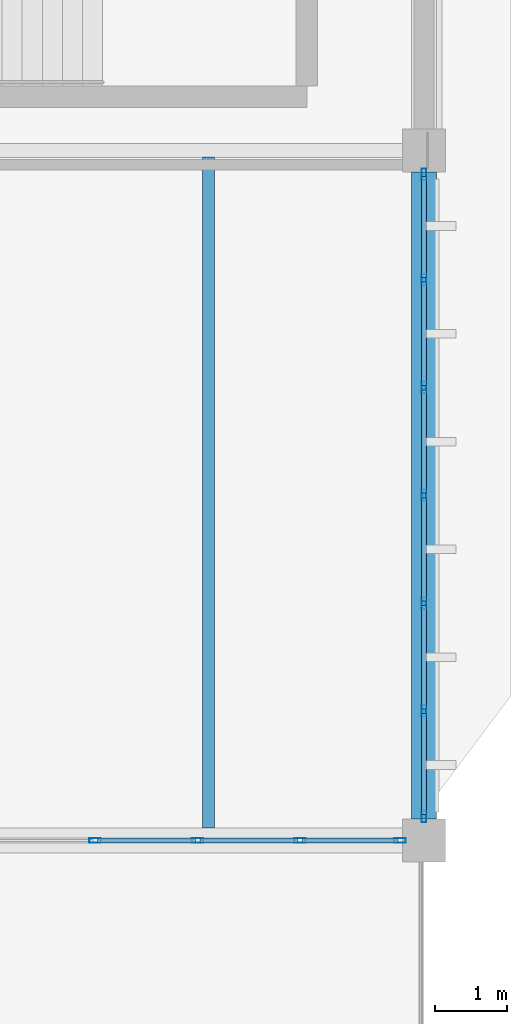
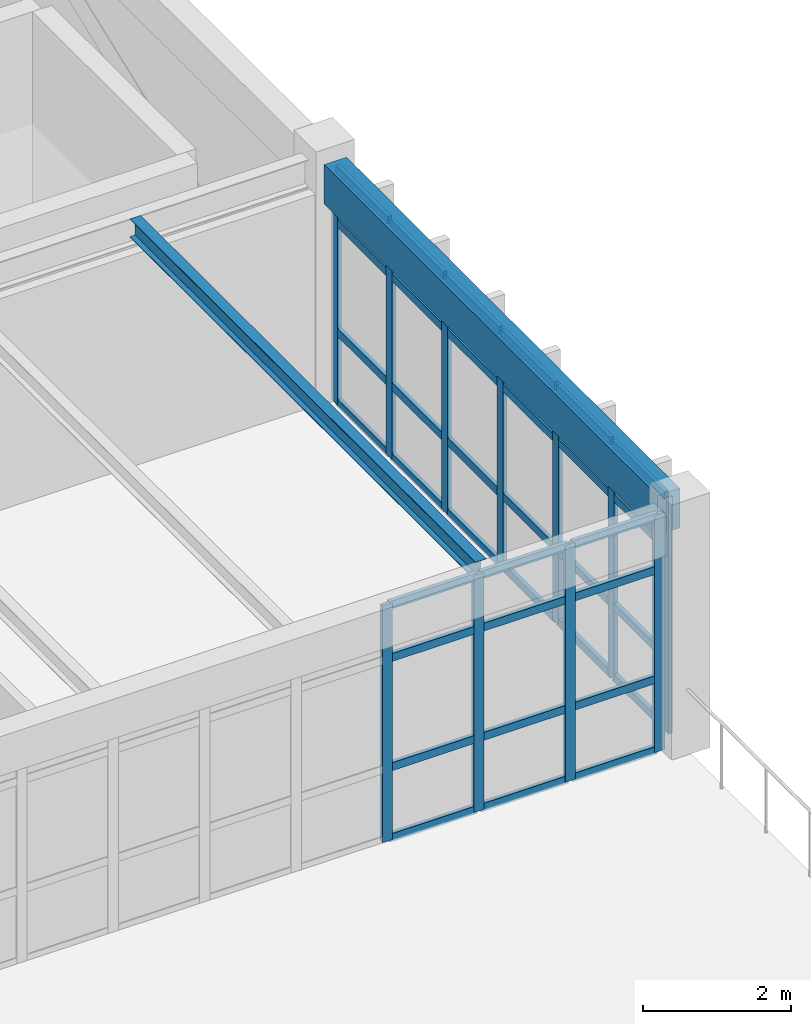
# One storey, part 31 of 83: 47 members, 2 beams, 2 elements without a shape of their own.
"""IFC4 building model written with IfcOpenShell, lengths in metres."""

from ifc_helpers import new_model, si_unit, direction, frame, origin, origin_2d, place, context, subcontext, project, spatial, rectangle, hollow_rectangle, i_section, extrude, material, layer, layer_set, material_profile, profile_set, type_object, element, aggregate, save


model = new_model("IFC4")

# Units and contexts
model_context = context("Model", 3, precision=1e-05, world=origin(), true_north=direction((0.0, 1.0)))
body_context = subcontext(model_context, "Body", "Model", "MODEL_VIEW")
ifc_project = project(units=[si_unit("LENGTHUNIT", "METRE"), si_unit("AREAUNIT", "SQUARE_METRE"), si_unit("VOLUMEUNIT", "CUBIC_METRE"), si_unit("PLANEANGLEUNIT", "RADIAN"), si_unit("MASSUNIT", "GRAM", prefix="KILO")], contexts=[model_context])

# Site, building, storey
site_placement = place(None, origin())
site = spatial("IfcSite", under=ifc_project, at=site_placement, CompositionType="ELEMENT")
building_placement = place(site_placement, origin())
building = spatial("IfcBuilding", under=site, at=building_placement, Name="Pandanus Reach Market Hall", CompositionType="ELEMENT")
storey_placement = place(building_placement, frame((0.0, 0.0, 10.199951171875)))
storey = spatial("IfcBuildingStorey", under=building, at=storey_placement, Name="L02", CompositionType="ELEMENT", Elevation=10.199951171875)

# Beam
ifc_material_1 = material(Name="Concrete N40 (40 MPa)", Category="concrete")
ifc_material_profile_1 = material_profile(ifc_material_1, rectangle(XDim=0.35009765625, YDim=0.64990234375, at=origin_2d()), Name="RC350x650", Category="LoadBearing")
ifc_profile_set_1 = profile_set([ifc_material_profile_1], Name="Concrete N40 (40 MPa)")
beam_type_1 = type_object("IfcBeamType", Name="BM-RC350-E", PredefinedType="SPANDREL", material=ifc_profile_set_1)
beam_1_placement = place(storey_placement, frame((180.0, 19.498046875, 3.625), z_axis=(0.0, 1.0, 0.0), x_axis=(-1.0, 0.0, 0.0)))
element("IfcBeam", 1, at=beam_1_placement, inside=storey, type_object=beam_type_1, Name="Framing beam BM-RC350-E L02.482", PredefinedType="SPANDREL", context=body_context, shape_type="SweptSolid", body=[
    extrude(rectangle(XDim=0.35009765625, YDim=0.64990234375, at=origin_2d()), origin(), (0.0, 0.0, 1.0), 9.00390625),
])

# Curtain wall, members
ifc_material_2 = material(Name="Bronze anodised aluminium and low-E glass", Category="aluminium")
ifc_layer_1 = layer(ifc_material_2, 0.159912109375, Name="CW-30")
ifc_layer_set_1 = layer_set([ifc_layer_1], Name="Bronze anodised aluminium and low-E glass")
curtain_wall_type_1 = type_object("IfcCurtainWallType", Name="CW-30", PredefinedType="NOTDEFINED", material=ifc_layer_set_1)
curtain_wall_1_placement = place(storey_placement, origin())
curtain_wall_1 = element("IfcCurtainWall", 2, at=curtain_wall_1_placement, inside=storey, type_object=curtain_wall_type_1, Name="Glazed curtain wall CW-30 CW-0101", PredefinedType="NOTDEFINED")
ifc_material_3 = material(Name="Bronze anodised aluminium", Category="aluminium")
ifc_material_profile_2 = material_profile(ifc_material_3, hollow_rectangle(XDim=0.06494140625, YDim=0.159912109375, WallThickness=0.00390625, at=origin_2d()), Name="ALU65x160", Category="LoadBearing")
ifc_profile_set_2 = profile_set([ifc_material_profile_2], Name="Bronze anodised aluminium")
member_type_1 = type_object("IfcMemberType", Name="CW-M1", PredefinedType="MULLION", material=ifc_profile_set_2)
member_1_placement = place(storey_placement, frame((175.425048828125, 19.199951171875, 0.0), z_axis=(0.0, 0.0, 1.0), x_axis=(0.0, 1.0, 0.0)))
member_1 = element("IfcMember", 3, at=member_1_placement, type_object=member_type_1, Name="CW-30 mullion 6", PredefinedType="MULLION", context=body_context, shape_type="SweptSolid", body=[
    extrude(hollow_rectangle(XDim=0.06494140625, YDim=0.159912109375, WallThickness=0.00390625, at=origin_2d()), origin(), (0.0, 0.0, 1.0), 3.900146484375),
])
member_2_placement = place(storey_placement, frame((176.85009765625, 19.199951171875, 0.0), z_axis=(0.0, 0.0, 1.0), x_axis=(0.0, 1.0, 0.0)))
member_2 = element("IfcMember", 4, at=member_2_placement, type_object=member_type_1, Name="CW-30 mullion 7", PredefinedType="MULLION", context=body_context, shape_type="SweptSolid", body=[
    extrude(hollow_rectangle(XDim=0.06494140625, YDim=0.159912109375, WallThickness=0.00390625, at=origin_2d()), origin(), (0.0, 0.0, 1.0), 3.900146484375),
])
member_3_placement = place(storey_placement, frame((178.27490234375, 19.199951171875, 0.0), z_axis=(0.0, 0.0, 1.0), x_axis=(0.0, 1.0, 0.0)))
member_3 = element("IfcMember", 5, at=member_3_placement, type_object=member_type_1, Name="CW-30 mullion 8", PredefinedType="MULLION", context=body_context, shape_type="SweptSolid", body=[
    extrude(hollow_rectangle(XDim=0.06494140625, YDim=0.159912109375, WallThickness=0.00390625, at=origin_2d()), origin(), (0.0, 0.0, 1.0), 3.900146484375),
])
member_4_placement = place(storey_placement, frame((179.66748046875, 19.199951171875, 0.0), z_axis=(0.0, 0.0, 1.0), x_axis=(0.0, 1.0, 0.0)))
member_4 = element("IfcMember", 6, at=member_4_placement, type_object=member_type_1, Name="CW-30 mullion 9", PredefinedType="MULLION", context=body_context, shape_type="SweptSolid", body=[
    extrude(hollow_rectangle(XDim=0.06494140625, YDim=0.159912109375, WallThickness=0.00390625, at=origin_2d()), origin(), (0.0, 0.0, 1.0), 3.900146484375),
])

ifc_layer_2 = layer(ifc_material_2, 0.159912109375, Name="CW-32")
ifc_layer_set_2 = layer_set([ifc_layer_2], Name="Bronze anodised aluminium and low-E glass")
curtain_wall_type_2 = type_object("IfcCurtainWallType", Name="CW-32", PredefinedType="NOTDEFINED", material=ifc_layer_set_2)
curtain_wall_2_placement = place(storey_placement, origin())
curtain_wall_2 = element("IfcCurtainWall", 7, at=curtain_wall_2_placement, inside=storey, type_object=curtain_wall_type_2, Name="Glazed curtain wall CW-32 CW-0105", PredefinedType="NOTDEFINED")
member_5_placement = place(storey_placement, frame((180.0, 19.532470703125, 0.0), z_axis=(0.0, 0.0, 1.0), x_axis=(-1.0, 0.0, 0.0)))
member_5 = element("IfcMember", 8, at=member_5_placement, type_object=member_type_1, Name="CW-32 mullion 1", PredefinedType="MULLION", context=body_context, shape_type="SweptSolid", body=[
    extrude(hollow_rectangle(XDim=0.06494140625, YDim=0.159912109375, WallThickness=0.00390625, at=origin_2d()), origin(), (0.0, 0.0, 1.0), 3.900146484375),
])
member_6_placement = place(storey_placement, frame((180.0, 21.0, 0.0), z_axis=(0.0, 0.0, 1.0), x_axis=(-1.0, 0.0, 0.0)))
member_6 = element("IfcMember", 9, at=member_6_placement, type_object=member_type_1, Name="CW-32 mullion 2", PredefinedType="MULLION", context=body_context, shape_type="SweptSolid", body=[
    extrude(hollow_rectangle(XDim=0.06494140625, YDim=0.159912109375, WallThickness=0.00390625, at=origin_2d()), origin(), (0.0, 0.0, 1.0), 3.900146484375),
])
member_7_placement = place(storey_placement, frame((180.0, 22.5, 0.0), z_axis=(0.0, 0.0, 1.0), x_axis=(-1.0, 0.0, 0.0)))
member_7 = element("IfcMember", 10, at=member_7_placement, type_object=member_type_1, Name="CW-32 mullion 3", PredefinedType="MULLION", context=body_context, shape_type="SweptSolid", body=[
    extrude(hollow_rectangle(XDim=0.06494140625, YDim=0.159912109375, WallThickness=0.00390625, at=origin_2d()), origin(), (0.0, 0.0, 1.0), 3.900146484375),
])
member_8_placement = place(storey_placement, frame((180.0, 24.0, 0.0), z_axis=(0.0, 0.0, 1.0), x_axis=(-1.0, 0.0, 0.0)))
member_8 = element("IfcMember", 11, at=member_8_placement, type_object=member_type_1, Name="CW-32 mullion 4", PredefinedType="MULLION", context=body_context, shape_type="SweptSolid", body=[
    extrude(hollow_rectangle(XDim=0.06494140625, YDim=0.159912109375, WallThickness=0.00390625, at=origin_2d()), origin(), (0.0, 0.0, 1.0), 3.900146484375),
])
member_9_placement = place(storey_placement, frame((180.0, 25.5, 0.0), z_axis=(0.0, 0.0, 1.0), x_axis=(-1.0, 0.0, 0.0)))
member_9 = element("IfcMember", 12, at=member_9_placement, type_object=member_type_1, Name="CW-32 mullion 5", PredefinedType="MULLION", context=body_context, shape_type="SweptSolid", body=[
    extrude(hollow_rectangle(XDim=0.06494140625, YDim=0.159912109375, WallThickness=0.00390625, at=origin_2d()), origin(), (0.0, 0.0, 1.0), 3.900146484375),
])
member_10_placement = place(storey_placement, frame((180.0, 27.0, 0.0), z_axis=(0.0, 0.0, 1.0), x_axis=(-1.0, 0.0, 0.0)))
member_10 = element("IfcMember", 13, at=member_10_placement, type_object=member_type_1, Name="CW-32 mullion 6", PredefinedType="MULLION", context=body_context, shape_type="SweptSolid", body=[
    extrude(hollow_rectangle(XDim=0.06494140625, YDim=0.159912109375, WallThickness=0.00390625, at=origin_2d()), origin(), (0.0, 0.0, 1.0), 3.900146484375),
])
member_11_placement = place(storey_placement, frame((180.0, 28.467529296875, 0.0), z_axis=(0.0, 0.0, 1.0), x_axis=(-1.0, 0.0, 0.0)))
member_11 = element("IfcMember", 14, at=member_11_placement, type_object=member_type_1, Name="CW-32 mullion 7", PredefinedType="MULLION", context=body_context, shape_type="SweptSolid", body=[
    extrude(hollow_rectangle(XDim=0.06494140625, YDim=0.159912109375, WallThickness=0.00390625, at=origin_2d()), origin(), (0.0, 0.0, 1.0), 3.900146484375),
])

# Member
ifc_material_profile_3 = material_profile(ifc_material_3, hollow_rectangle(XDim=0.06494140625, YDim=0.1298828125, WallThickness=0.00390625, at=origin_2d()), Name="ALU65x130", Category="LoadBearing")
ifc_profile_set_3 = profile_set([ifc_material_profile_3], Name="Bronze anodised aluminium")
member_type_2 = type_object("IfcMemberType", Name="CW-T1", PredefinedType="USERDEFINED", material=ifc_profile_set_3)
member_12_placement = place(storey_placement, frame((175.45751953125, 19.199951171875, 0.032470703125), z_axis=(1.0, 0.0, 0.0), x_axis=(0.0, 1.0, 0.0)))
member_12 = element("IfcMember", 15, at=member_12_placement, type_object=member_type_2, Name="CW-30 transom 6.1", ObjectType="TRANSOM", PredefinedType="USERDEFINED", context=body_context, shape_type="SweptSolid", body=[
    extrude(hollow_rectangle(XDim=0.06494140625, YDim=0.1298828125, WallThickness=0.00390625, at=origin_2d()), origin(), (0.0, 0.0, 1.0), 1.35986328125),
])

member_13_placement = place(storey_placement, frame((175.45751953125, 19.199951171875, 1.199951171875), z_axis=(1.0, 0.0, 0.0), x_axis=(0.0, 1.0, 0.0)))
member_13 = element("IfcMember", 16, at=member_13_placement, type_object=member_type_2, Name="CW-30 transom 6.2", ObjectType="TRANSOM", PredefinedType="USERDEFINED", context=body_context, shape_type="SweptSolid", body=[
    extrude(hollow_rectangle(XDim=0.06494140625, YDim=0.1298828125, WallThickness=0.00390625, at=origin_2d()), origin(), (0.0, 0.0, 1.0), 1.35986328125),
])

member_14_placement = place(storey_placement, frame((175.45751953125, 19.199951171875, 3.0), z_axis=(1.0, 0.0, 0.0), x_axis=(0.0, 1.0, 0.0)))
member_14 = element("IfcMember", 17, at=member_14_placement, type_object=member_type_2, Name="CW-30 transom 6.3", ObjectType="TRANSOM", PredefinedType="USERDEFINED", context=body_context, shape_type="SweptSolid", body=[
    extrude(hollow_rectangle(XDim=0.06494140625, YDim=0.1298828125, WallThickness=0.00390625, at=origin_2d()), origin(), (0.0, 0.0, 1.0), 1.35986328125),
])

member_15_placement = place(storey_placement, frame((175.45751953125, 19.199951171875, 3.867431640625), z_axis=(1.0, 0.0, 0.0), x_axis=(0.0, 1.0, 0.0)))
member_15 = element("IfcMember", 18, at=member_15_placement, type_object=member_type_2, Name="CW-30 transom 6.4", ObjectType="TRANSOM", PredefinedType="USERDEFINED", context=body_context, shape_type="SweptSolid", body=[
    extrude(hollow_rectangle(XDim=0.06494140625, YDim=0.1298828125, WallThickness=0.00390625, at=origin_2d()), origin(), (0.0, 0.0, 1.0), 1.35986328125),
])

member_16_placement = place(storey_placement, frame((176.882568359375, 19.199951171875, 0.032470703125), z_axis=(1.0, 0.0, 0.0), x_axis=(0.0, 1.0, 0.0)))
member_16 = element("IfcMember", 19, at=member_16_placement, type_object=member_type_2, Name="CW-30 transom 7.1", ObjectType="TRANSOM", PredefinedType="USERDEFINED", context=body_context, shape_type="SweptSolid", body=[
    extrude(hollow_rectangle(XDim=0.06494140625, YDim=0.1298828125, WallThickness=0.00390625, at=origin_2d()), origin(), (0.0, 0.0, 1.0), 1.35986328125),
])

member_17_placement = place(storey_placement, frame((176.882568359375, 19.199951171875, 1.199951171875), z_axis=(1.0, 0.0, 0.0), x_axis=(0.0, 1.0, 0.0)))
member_17 = element("IfcMember", 20, at=member_17_placement, type_object=member_type_2, Name="CW-30 transom 7.2", ObjectType="TRANSOM", PredefinedType="USERDEFINED", context=body_context, shape_type="SweptSolid", body=[
    extrude(hollow_rectangle(XDim=0.06494140625, YDim=0.1298828125, WallThickness=0.00390625, at=origin_2d()), origin(), (0.0, 0.0, 1.0), 1.35986328125),
])

member_18_placement = place(storey_placement, frame((176.882568359375, 19.199951171875, 3.0), z_axis=(1.0, 0.0, 0.0), x_axis=(0.0, 1.0, 0.0)))
member_18 = element("IfcMember", 21, at=member_18_placement, type_object=member_type_2, Name="CW-30 transom 7.3", ObjectType="TRANSOM", PredefinedType="USERDEFINED", context=body_context, shape_type="SweptSolid", body=[
    extrude(hollow_rectangle(XDim=0.06494140625, YDim=0.1298828125, WallThickness=0.00390625, at=origin_2d()), origin(), (0.0, 0.0, 1.0), 1.35986328125),
])

member_19_placement = place(storey_placement, frame((176.882568359375, 19.199951171875, 3.867431640625), z_axis=(1.0, 0.0, 0.0), x_axis=(0.0, 1.0, 0.0)))
member_19 = element("IfcMember", 22, at=member_19_placement, type_object=member_type_2, Name="CW-30 transom 7.4", ObjectType="TRANSOM", PredefinedType="USERDEFINED", context=body_context, shape_type="SweptSolid", body=[
    extrude(hollow_rectangle(XDim=0.06494140625, YDim=0.1298828125, WallThickness=0.00390625, at=origin_2d()), origin(), (0.0, 0.0, 1.0), 1.35986328125),
])

member_20_placement = place(storey_placement, frame((178.3076171875, 19.199951171875, 0.032470703125), z_axis=(1.0, 0.0, 0.0), x_axis=(0.0, 1.0, 0.0)))
member_20 = element("IfcMember", 23, at=member_20_placement, type_object=member_type_2, Name="CW-30 transom 8.1", ObjectType="TRANSOM", PredefinedType="USERDEFINED", context=body_context, shape_type="SweptSolid", body=[
    extrude(hollow_rectangle(XDim=0.06494140625, YDim=0.1298828125, WallThickness=0.00390625, at=origin_2d()), origin(), (0.0, 0.0, 1.0), 1.327392578125),
])

member_21_placement = place(storey_placement, frame((178.3076171875, 19.199951171875, 1.199951171875), z_axis=(1.0, 0.0, 0.0), x_axis=(0.0, 1.0, 0.0)))
member_21 = element("IfcMember", 24, at=member_21_placement, type_object=member_type_2, Name="CW-30 transom 8.2", ObjectType="TRANSOM", PredefinedType="USERDEFINED", context=body_context, shape_type="SweptSolid", body=[
    extrude(hollow_rectangle(XDim=0.06494140625, YDim=0.1298828125, WallThickness=0.00390625, at=origin_2d()), origin(), (0.0, 0.0, 1.0), 1.327392578125),
])

member_22_placement = place(storey_placement, frame((178.3076171875, 19.199951171875, 3.0), z_axis=(1.0, 0.0, 0.0), x_axis=(0.0, 1.0, 0.0)))
member_22 = element("IfcMember", 25, at=member_22_placement, type_object=member_type_2, Name="CW-30 transom 8.3", ObjectType="TRANSOM", PredefinedType="USERDEFINED", context=body_context, shape_type="SweptSolid", body=[
    extrude(hollow_rectangle(XDim=0.06494140625, YDim=0.1298828125, WallThickness=0.00390625, at=origin_2d()), origin(), (0.0, 0.0, 1.0), 1.327392578125),
])

member_23_placement = place(storey_placement, frame((178.3076171875, 19.199951171875, 3.867431640625), z_axis=(1.0, 0.0, 0.0), x_axis=(0.0, 1.0, 0.0)))
member_23 = element("IfcMember", 26, at=member_23_placement, type_object=member_type_2, Name="CW-30 transom 8.4", ObjectType="TRANSOM", PredefinedType="USERDEFINED", context=body_context, shape_type="SweptSolid", body=[
    extrude(hollow_rectangle(XDim=0.06494140625, YDim=0.1298828125, WallThickness=0.00390625, at=origin_2d()), origin(), (0.0, 0.0, 1.0), 1.327392578125),
])

aggregate(curtain_wall_1, [member_1, member_2, member_3, member_4, member_12, member_13, member_14, member_15, member_16, member_17, member_18, member_19, member_20, member_21, member_22, member_23])

member_24_placement = place(storey_placement, frame((180.0, 19.56494140625, 0.032470703125), z_axis=(0.0, 1.0, 0.0), x_axis=(-1.0, 0.0, 0.0)))
member_24 = element("IfcMember", 27, at=member_24_placement, type_object=member_type_2, Name="CW-32 transom 1.1", ObjectType="TRANSOM", PredefinedType="USERDEFINED", context=body_context, shape_type="SweptSolid", body=[
    extrude(hollow_rectangle(XDim=0.06494140625, YDim=0.1298828125, WallThickness=0.00390625, at=origin_2d()), origin(), (0.0, 0.0, 1.0), 1.402587890625),
])

member_25_placement = place(storey_placement, frame((180.0, 19.56494140625, 1.199951171875), z_axis=(0.0, 1.0, 0.0), x_axis=(-1.0, 0.0, 0.0)))
member_25 = element("IfcMember", 28, at=member_25_placement, type_object=member_type_2, Name="CW-32 transom 1.2", ObjectType="TRANSOM", PredefinedType="USERDEFINED", context=body_context, shape_type="SweptSolid", body=[
    extrude(hollow_rectangle(XDim=0.06494140625, YDim=0.1298828125, WallThickness=0.00390625, at=origin_2d()), origin(), (0.0, 0.0, 1.0), 1.402587890625),
])

member_26_placement = place(storey_placement, frame((180.0, 19.56494140625, 3.0), z_axis=(0.0, 1.0, 0.0), x_axis=(-1.0, 0.0, 0.0)))
member_26 = element("IfcMember", 29, at=member_26_placement, type_object=member_type_2, Name="CW-32 transom 1.3", ObjectType="TRANSOM", PredefinedType="USERDEFINED", context=body_context, shape_type="SweptSolid", body=[
    extrude(hollow_rectangle(XDim=0.06494140625, YDim=0.1298828125, WallThickness=0.00390625, at=origin_2d()), origin(), (0.0, 0.0, 1.0), 1.402587890625),
])

member_27_placement = place(storey_placement, frame((180.0, 19.56494140625, 3.867431640625), z_axis=(0.0, 1.0, 0.0), x_axis=(-1.0, 0.0, 0.0)))
member_27 = element("IfcMember", 30, at=member_27_placement, type_object=member_type_2, Name="CW-32 transom 1.4", ObjectType="TRANSOM", PredefinedType="USERDEFINED", context=body_context, shape_type="SweptSolid", body=[
    extrude(hollow_rectangle(XDim=0.06494140625, YDim=0.1298828125, WallThickness=0.00390625, at=origin_2d()), origin(), (0.0, 0.0, 1.0), 1.402587890625),
])

member_28_placement = place(storey_placement, frame((180.0, 21.032470703125, 0.032470703125), z_axis=(0.0, 1.0, 0.0), x_axis=(-1.0, 0.0, 0.0)))
member_28 = element("IfcMember", 31, at=member_28_placement, type_object=member_type_2, Name="CW-32 transom 2.1", ObjectType="TRANSOM", PredefinedType="USERDEFINED", context=body_context, shape_type="SweptSolid", body=[
    extrude(hollow_rectangle(XDim=0.06494140625, YDim=0.1298828125, WallThickness=0.00390625, at=origin_2d()), origin(), (0.0, 0.0, 1.0), 1.43505859375),
])

member_29_placement = place(storey_placement, frame((180.0, 21.032470703125, 1.199951171875), z_axis=(0.0, 1.0, 0.0), x_axis=(-1.0, 0.0, 0.0)))
member_29 = element("IfcMember", 32, at=member_29_placement, type_object=member_type_2, Name="CW-32 transom 2.2", ObjectType="TRANSOM", PredefinedType="USERDEFINED", context=body_context, shape_type="SweptSolid", body=[
    extrude(hollow_rectangle(XDim=0.06494140625, YDim=0.1298828125, WallThickness=0.00390625, at=origin_2d()), origin(), (0.0, 0.0, 1.0), 1.43505859375),
])

member_30_placement = place(storey_placement, frame((180.0, 21.032470703125, 3.0), z_axis=(0.0, 1.0, 0.0), x_axis=(-1.0, 0.0, 0.0)))
member_30 = element("IfcMember", 33, at=member_30_placement, type_object=member_type_2, Name="CW-32 transom 2.3", ObjectType="TRANSOM", PredefinedType="USERDEFINED", context=body_context, shape_type="SweptSolid", body=[
    extrude(hollow_rectangle(XDim=0.06494140625, YDim=0.1298828125, WallThickness=0.00390625, at=origin_2d()), origin(), (0.0, 0.0, 1.0), 1.43505859375),
])

member_31_placement = place(storey_placement, frame((180.0, 21.032470703125, 3.867431640625), z_axis=(0.0, 1.0, 0.0), x_axis=(-1.0, 0.0, 0.0)))
member_31 = element("IfcMember", 34, at=member_31_placement, type_object=member_type_2, Name="CW-32 transom 2.4", ObjectType="TRANSOM", PredefinedType="USERDEFINED", context=body_context, shape_type="SweptSolid", body=[
    extrude(hollow_rectangle(XDim=0.06494140625, YDim=0.1298828125, WallThickness=0.00390625, at=origin_2d()), origin(), (0.0, 0.0, 1.0), 1.43505859375),
])

member_32_placement = place(storey_placement, frame((180.0, 22.532470703125, 0.032470703125), z_axis=(0.0, 1.0, 0.0), x_axis=(-1.0, 0.0, 0.0)))
member_32 = element("IfcMember", 35, at=member_32_placement, type_object=member_type_2, Name="CW-32 transom 3.1", ObjectType="TRANSOM", PredefinedType="USERDEFINED", context=body_context, shape_type="SweptSolid", body=[
    extrude(hollow_rectangle(XDim=0.06494140625, YDim=0.1298828125, WallThickness=0.00390625, at=origin_2d()), origin(), (0.0, 0.0, 1.0), 1.43505859375),
])

member_33_placement = place(storey_placement, frame((180.0, 22.532470703125, 1.199951171875), z_axis=(0.0, 1.0, 0.0), x_axis=(-1.0, 0.0, 0.0)))
member_33 = element("IfcMember", 36, at=member_33_placement, type_object=member_type_2, Name="CW-32 transom 3.2", ObjectType="TRANSOM", PredefinedType="USERDEFINED", context=body_context, shape_type="SweptSolid", body=[
    extrude(hollow_rectangle(XDim=0.06494140625, YDim=0.1298828125, WallThickness=0.00390625, at=origin_2d()), origin(), (0.0, 0.0, 1.0), 1.43505859375),
])

member_34_placement = place(storey_placement, frame((180.0, 22.532470703125, 3.0), z_axis=(0.0, 1.0, 0.0), x_axis=(-1.0, 0.0, 0.0)))
member_34 = element("IfcMember", 37, at=member_34_placement, type_object=member_type_2, Name="CW-32 transom 3.3", ObjectType="TRANSOM", PredefinedType="USERDEFINED", context=body_context, shape_type="SweptSolid", body=[
    extrude(hollow_rectangle(XDim=0.06494140625, YDim=0.1298828125, WallThickness=0.00390625, at=origin_2d()), origin(), (0.0, 0.0, 1.0), 1.43505859375),
])

member_35_placement = place(storey_placement, frame((180.0, 22.532470703125, 3.867431640625), z_axis=(0.0, 1.0, 0.0), x_axis=(-1.0, 0.0, 0.0)))
member_35 = element("IfcMember", 38, at=member_35_placement, type_object=member_type_2, Name="CW-32 transom 3.4", ObjectType="TRANSOM", PredefinedType="USERDEFINED", context=body_context, shape_type="SweptSolid", body=[
    extrude(hollow_rectangle(XDim=0.06494140625, YDim=0.1298828125, WallThickness=0.00390625, at=origin_2d()), origin(), (0.0, 0.0, 1.0), 1.43505859375),
])

member_36_placement = place(storey_placement, frame((180.0, 24.032470703125, 0.032470703125), z_axis=(0.0, 1.0, 0.0), x_axis=(-1.0, 0.0, 0.0)))
member_36 = element("IfcMember", 39, at=member_36_placement, type_object=member_type_2, Name="CW-32 transom 4.1", ObjectType="TRANSOM", PredefinedType="USERDEFINED", context=body_context, shape_type="SweptSolid", body=[
    extrude(hollow_rectangle(XDim=0.06494140625, YDim=0.1298828125, WallThickness=0.00390625, at=origin_2d()), origin(), (0.0, 0.0, 1.0), 1.43505859375),
])

member_37_placement = place(storey_placement, frame((180.0, 24.032470703125, 1.199951171875), z_axis=(0.0, 1.0, 0.0), x_axis=(-1.0, 0.0, 0.0)))
member_37 = element("IfcMember", 40, at=member_37_placement, type_object=member_type_2, Name="CW-32 transom 4.2", ObjectType="TRANSOM", PredefinedType="USERDEFINED", context=body_context, shape_type="SweptSolid", body=[
    extrude(hollow_rectangle(XDim=0.06494140625, YDim=0.1298828125, WallThickness=0.00390625, at=origin_2d()), origin(), (0.0, 0.0, 1.0), 1.43505859375),
])

member_38_placement = place(storey_placement, frame((180.0, 24.032470703125, 3.0), z_axis=(0.0, 1.0, 0.0), x_axis=(-1.0, 0.0, 0.0)))
member_38 = element("IfcMember", 41, at=member_38_placement, type_object=member_type_2, Name="CW-32 transom 4.3", ObjectType="TRANSOM", PredefinedType="USERDEFINED", context=body_context, shape_type="SweptSolid", body=[
    extrude(hollow_rectangle(XDim=0.06494140625, YDim=0.1298828125, WallThickness=0.00390625, at=origin_2d()), origin(), (0.0, 0.0, 1.0), 1.43505859375),
])

member_39_placement = place(storey_placement, frame((180.0, 24.032470703125, 3.867431640625), z_axis=(0.0, 1.0, 0.0), x_axis=(-1.0, 0.0, 0.0)))
member_39 = element("IfcMember", 42, at=member_39_placement, type_object=member_type_2, Name="CW-32 transom 4.4", ObjectType="TRANSOM", PredefinedType="USERDEFINED", context=body_context, shape_type="SweptSolid", body=[
    extrude(hollow_rectangle(XDim=0.06494140625, YDim=0.1298828125, WallThickness=0.00390625, at=origin_2d()), origin(), (0.0, 0.0, 1.0), 1.43505859375),
])

member_40_placement = place(storey_placement, frame((180.0, 25.532470703125, 0.032470703125), z_axis=(0.0, 1.0, 0.0), x_axis=(-1.0, 0.0, 0.0)))
member_40 = element("IfcMember", 43, at=member_40_placement, type_object=member_type_2, Name="CW-32 transom 5.1", ObjectType="TRANSOM", PredefinedType="USERDEFINED", context=body_context, shape_type="SweptSolid", body=[
    extrude(hollow_rectangle(XDim=0.06494140625, YDim=0.1298828125, WallThickness=0.00390625, at=origin_2d()), origin(), (0.0, 0.0, 1.0), 1.43505859375),
])

member_41_placement = place(storey_placement, frame((180.0, 25.532470703125, 1.199951171875), z_axis=(0.0, 1.0, 0.0), x_axis=(-1.0, 0.0, 0.0)))
member_41 = element("IfcMember", 44, at=member_41_placement, type_object=member_type_2, Name="CW-32 transom 5.2", ObjectType="TRANSOM", PredefinedType="USERDEFINED", context=body_context, shape_type="SweptSolid", body=[
    extrude(hollow_rectangle(XDim=0.06494140625, YDim=0.1298828125, WallThickness=0.00390625, at=origin_2d()), origin(), (0.0, 0.0, 1.0), 1.43505859375),
])

member_42_placement = place(storey_placement, frame((180.0, 25.532470703125, 3.0), z_axis=(0.0, 1.0, 0.0), x_axis=(-1.0, 0.0, 0.0)))
member_42 = element("IfcMember", 45, at=member_42_placement, type_object=member_type_2, Name="CW-32 transom 5.3", ObjectType="TRANSOM", PredefinedType="USERDEFINED", context=body_context, shape_type="SweptSolid", body=[
    extrude(hollow_rectangle(XDim=0.06494140625, YDim=0.1298828125, WallThickness=0.00390625, at=origin_2d()), origin(), (0.0, 0.0, 1.0), 1.43505859375),
])

member_43_placement = place(storey_placement, frame((180.0, 25.532470703125, 3.867431640625), z_axis=(0.0, 1.0, 0.0), x_axis=(-1.0, 0.0, 0.0)))
member_43 = element("IfcMember", 46, at=member_43_placement, type_object=member_type_2, Name="CW-32 transom 5.4", ObjectType="TRANSOM", PredefinedType="USERDEFINED", context=body_context, shape_type="SweptSolid", body=[
    extrude(hollow_rectangle(XDim=0.06494140625, YDim=0.1298828125, WallThickness=0.00390625, at=origin_2d()), origin(), (0.0, 0.0, 1.0), 1.43505859375),
])

member_44_placement = place(storey_placement, frame((180.0, 27.032470703125, 0.032470703125), z_axis=(0.0, 1.0, 0.0), x_axis=(-1.0, 0.0, 0.0)))
member_44 = element("IfcMember", 47, at=member_44_placement, type_object=member_type_2, Name="CW-32 transom 6.1", ObjectType="TRANSOM", PredefinedType="USERDEFINED", context=body_context, shape_type="SweptSolid", body=[
    extrude(hollow_rectangle(XDim=0.06494140625, YDim=0.1298828125, WallThickness=0.00390625, at=origin_2d()), origin(), (0.0, 0.0, 1.0), 1.402587890625),
])

member_45_placement = place(storey_placement, frame((180.0, 27.032470703125, 1.199951171875), z_axis=(0.0, 1.0, 0.0), x_axis=(-1.0, 0.0, 0.0)))
member_45 = element("IfcMember", 48, at=member_45_placement, type_object=member_type_2, Name="CW-32 transom 6.2", ObjectType="TRANSOM", PredefinedType="USERDEFINED", context=body_context, shape_type="SweptSolid", body=[
    extrude(hollow_rectangle(XDim=0.06494140625, YDim=0.1298828125, WallThickness=0.00390625, at=origin_2d()), origin(), (0.0, 0.0, 1.0), 1.402587890625),
])

member_46_placement = place(storey_placement, frame((180.0, 27.032470703125, 3.0), z_axis=(0.0, 1.0, 0.0), x_axis=(-1.0, 0.0, 0.0)))
member_46 = element("IfcMember", 49, at=member_46_placement, type_object=member_type_2, Name="CW-32 transom 6.3", ObjectType="TRANSOM", PredefinedType="USERDEFINED", context=body_context, shape_type="SweptSolid", body=[
    extrude(hollow_rectangle(XDim=0.06494140625, YDim=0.1298828125, WallThickness=0.00390625, at=origin_2d()), origin(), (0.0, 0.0, 1.0), 1.402587890625),
])

member_47_placement = place(storey_placement, frame((180.0, 27.032470703125, 3.867431640625), z_axis=(0.0, 1.0, 0.0), x_axis=(-1.0, 0.0, 0.0)))
member_47 = element("IfcMember", 50, at=member_47_placement, type_object=member_type_2, Name="CW-32 transom 6.4", ObjectType="TRANSOM", PredefinedType="USERDEFINED", context=body_context, shape_type="SweptSolid", body=[
    extrude(hollow_rectangle(XDim=0.06494140625, YDim=0.1298828125, WallThickness=0.00390625, at=origin_2d()), origin(), (0.0, 0.0, 1.0), 1.402587890625),
])

aggregate(curtain_wall_2, [member_5, member_6, member_7, member_8, member_9, member_10, member_11, member_24, member_25, member_26, member_27, member_28, member_29, member_30, member_31, member_32, member_33, member_34, member_35, member_36, member_37, member_38, member_39, member_40, member_41, member_42, member_43, member_44, member_45, member_46, member_47])

# Beam
ifc_material_4 = material(Name="Steel Grade 350 (350 MPa)", Category="steel")
ifc_material_profile_4 = material_profile(ifc_material_4, i_section(OverallWidth=0.1650390625, OverallDepth=0.303955078125, WebThickness=0.006103515625, FlangeThickness=0.01025390625, at=origin_2d()), Name="310UB40.4", Category="LoadBearing")
ifc_profile_set_4 = profile_set([ifc_material_profile_4], Name="Steel Grade 350 (350 MPa)")
beam_type_2 = type_object("IfcBeamType", Name="JS-UB310-I", PredefinedType="JOIST", material=ifc_profile_set_4)
beam_2_placement = place(storey_placement, frame((177.0, 19.373046875, 3.797607421875), z_axis=(0.0, 1.0, 0.0), x_axis=(-1.0, 0.0, 0.0)))
element("IfcBeam", 51, at=beam_2_placement, inside=storey, type_object=beam_type_2, Name="Secondary joist JS-UB310-I L02.523", PredefinedType="JOIST", context=body_context, shape_type="SweptSolid", body=[
    extrude(i_section(OverallWidth=0.1650390625, OverallDepth=0.303955078125, WebThickness=0.006103515625, FlangeThickness=0.01025390625, at=origin_2d()), origin(), (0.0, 0.0, 1.0), 9.333984375),
])

save(model, "model.ifc")
